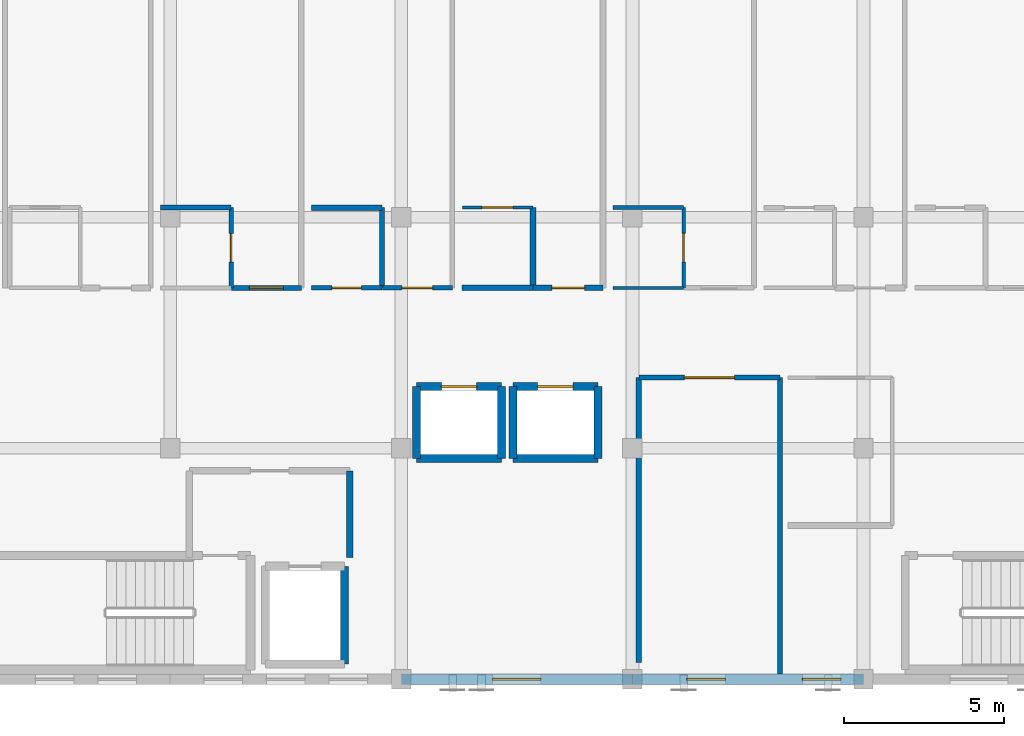
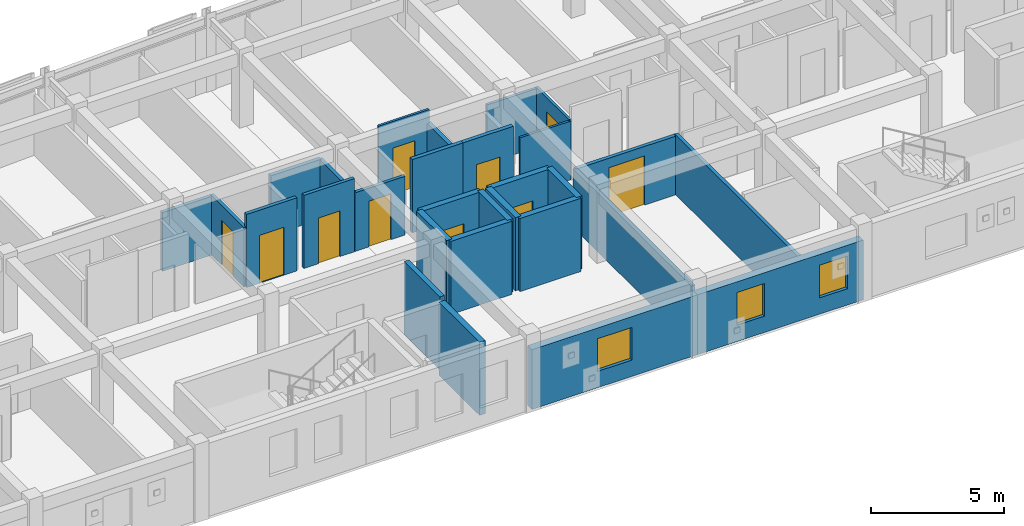
# One storey, part 36 of 45: 29 walls, 10 doors, 3 windows, 13 openings.
"""IFC4 building model written with IfcOpenShell, lengths in metres."""

import ifcopenshell
import ifcopenshell.guid

model = None  # the IFC model being written
_history = None  # IfcOwnerHistory: only IFC2X3 demands one
_inside = {}  # id of a spatial element -> (the spatial element, [elements in it])
_under = {}  # id of a project, library or spatial element -> (it, [spatial elements below it])
_declared = {}  # id of a project -> (the project, [libraries it declares])
_typed = {}  # id of a type object -> (the type object, [elements of that type])
_made_of = {}  # id of a material, layer set ... -> (it, [elements and type objects made of it])


def new_model(schema):
    """Start an empty IFC model of exactly this schema.

    Asked for "IFC4X3", IfcOpenShell would pick the latest addendum, in which some entities
    have other attributes; the version numbers below select the first issue.
    IFC2X3 requires an IfcOwnerHistory on every rooted entity: one is made here for all.
    """
    global model, _history
    if schema == "IFC4X3":
        model = ifcopenshell.file(schema_version=(4, 3, 0, 0))
    else:
        model = ifcopenshell.file(schema=schema)
    _inside.clear()
    _under.clear()
    _declared.clear()
    _typed.clear()
    _made_of.clear()
    _history = None
    if model.schema == "IFC2X3":
        org = make("IfcOrganization", Name="unknown")
        user = make(
            "IfcPersonAndOrganization",
            ThePerson=make("IfcPerson", FamilyName="unknown"),
            TheOrganization=org,
        )
        app = make(
            "IfcApplication",
            ApplicationDeveloper=org,
            Version="unknown",
            ApplicationFullName="unknown",
            ApplicationIdentifier="unknown",
        )
        _history = make(
            "IfcOwnerHistory",
            OwningUser=user,
            OwningApplication=app,
            ChangeAction="ADDED",
            CreationDate=0,
        )
    return model


def make(cls, **values):
    """One entity of the class cls with the attributes given. An attribute that is None is left unset."""
    return model.create_entity(
        cls, **{name: value for name, value in values.items() if value is not None}
    )


def rooted(cls, **values):
    """An entity with a GlobalId (a new one), such as an element, a storey or a relation."""
    return make(cls, GlobalId=ifcopenshell.guid.new(), OwnerHistory=_history, **values)


def si_unit(unit_type, name, prefix=None):
    """IfcSIUnit, for example si_unit("LENGTHUNIT", "METRE", prefix="MILLI")."""
    return make("IfcSIUnit", UnitType=unit_type, Prefix=prefix, Name=name)


def assignment(units):
    """IfcUnitAssignment: the units of a project."""
    return None if units is None else make("IfcUnitAssignment", Units=units)


def point(xyz):
    """IfcCartesianPoint."""
    return None if xyz is None else make("IfcCartesianPoint", Coordinates=xyz)


def direction(xyz):
    """IfcDirection."""
    return None if xyz is None else make("IfcDirection", DirectionRatios=xyz)


def frame(location, z_axis=None, x_axis=None):
    """IfcAxis2Placement3D, a coordinate frame: its origin and axes. An axis left out is left unset."""
    return make(
        "IfcAxis2Placement3D",
        Location=point(location),
        Axis=direction(z_axis),
        RefDirection=direction(x_axis),
    )


def frame_2d(location, x_axis=None):
    """IfcAxis2Placement2D, a coordinate frame in the plane: its origin and x axis."""
    return make(
        "IfcAxis2Placement2D", Location=point(location), RefDirection=direction(x_axis)
    )


def origin():
    """The frame at (0, 0, 0) with its axes left unset."""
    return frame((0.0, 0.0, 0.0))


def place(relative_to, where):
    """IfcLocalPlacement: puts the frame where relative to a parent placement (None: the world)."""
    return make(
        "IfcLocalPlacement", PlacementRelTo=relative_to, RelativePlacement=where
    )


def context(
    kind, dimensions, precision=None, world=None, true_north=None, identifier=None
):
    """IfcGeometricRepresentationContext, for example the 3D "Model" context."""
    return make(
        "IfcGeometricRepresentationContext",
        ContextIdentifier=identifier,
        ContextType=kind,
        CoordinateSpaceDimension=dimensions,
        Precision=precision,
        WorldCoordinateSystem=world,
        TrueNorth=true_north,
    )


def subcontext(parent, identifier, kind, view, scale=None):
    """IfcGeometricRepresentationSubContext, for example "Body" below "Model"."""
    return make(
        "IfcGeometricRepresentationSubContext",
        ContextIdentifier=identifier,
        ContextType=kind,
        ParentContext=parent,
        TargetScale=scale,
        TargetView=view,
    )


def project(units=None, contexts=None):
    """IfcProject with its units and contexts."""
    return rooted(
        "IfcProject",
        Name="project",
        RepresentationContexts=contexts,
        UnitsInContext=assignment(units),
    )


def spatial(cls, under=None, at=None, **own):
    """A site, building, storey or space (cls), placed at a placement, below another one or the project."""
    s = rooted(cls, ObjectPlacement=at, **own)
    if under is not None:
        _under.setdefault(under.id(), (under, []))[1].append(s)
    return s


def profile(cls, at=None, kind="AREA", **sizes):
    """A parametric profile (cls). Its sizes go by their IFC names, for example OverallWidth=200.0."""
    return make(cls, ProfileType=kind, Position=at, **sizes)


def rectangle(**sizes):
    """IfcRectangleProfileDef."""
    return profile("IfcRectangleProfileDef", **sizes)


def extrude(swept, where, along, depth):
    """IfcExtrudedAreaSolid: the profile swept, set in the frame where, extruded along a direction by depth."""
    return make(
        "IfcExtrudedAreaSolid",
        SweptArea=swept,
        Position=where,
        ExtrudedDirection=direction(along),
        Depth=depth,
    )


def shape(context_of_items, identifier, shape_type, items):
    """IfcShapeRepresentation: the items that make up one representation, for example the "Body"."""
    return make(
        "IfcShapeRepresentation",
        ContextOfItems=context_of_items,
        RepresentationIdentifier=identifier,
        RepresentationType=shape_type,
        Items=items,
    )


def material(Name=None, Category=None):
    """IfcMaterial."""
    return make("IfcMaterial", Name=Name, Category=Category)


def layer(
    of_material, thickness, ventilated=None, Name=None, Category=None, Priority=None
):
    """IfcMaterialLayer: one layer of a wall or slab, of a material (None: an air gap)."""
    return make(
        "IfcMaterialLayer",
        Material=of_material,
        LayerThickness=thickness,
        IsVentilated=ventilated,
        Name=Name,
        Category=Category,
        Priority=Priority,
    )


def layer_set(layers, Name=None):
    """IfcMaterialLayerSet."""
    return make("IfcMaterialLayerSet", MaterialLayers=layers, LayerSetName=Name)


def made_of(thing, what):
    """Note that an element or type object is made of a material, layer set ...; save() writes the relation."""
    if what is not None:
        _made_of.setdefault(what.id(), (what, []))[1].append(thing)
    return thing


def type_object(cls, material=None, **own):
    """A type object (cls), such as IfcWallType, which elements share."""
    return made_of(rooted(cls, **own), material)


def element(
    cls,
    number,
    at=None,
    inside=None,
    cuts=None,
    type_object=None,
    material=None,
    context=None,
    identifier="Body",
    shape_type=None,
    held_by="IfcProductDefinitionShape",
    body=None,
    shapes=None,
    **own,
):
    """One element of the class cls, such as IfcWall. Its Tag is "e" and its number.

    at: its placement. inside: the storey or other place that contains it. cuts: it is an
    opening in that element (IfcRelVoidsElement). A single representation is given by context,
    identifier, shape_type and body (its items); several are given by shapes. held_by: the class
    of the entity that holds the representations. save() writes the other relations.
    """
    e = rooted(cls, Tag="e%d" % number, ObjectPlacement=at, **own)
    if body is not None:
        shapes = [shape(context, identifier, shape_type, body)]
    if shapes is not None:
        e.Representation = make(held_by, Representations=shapes)
    if inside is not None:
        _inside.setdefault(inside.id(), (inside, []))[1].append(e)
    if cuts is not None:
        rooted(
            "IfcRelVoidsElement", RelatingBuildingElement=cuts, RelatedOpeningElement=e
        )
    if type_object is not None:
        _typed.setdefault(type_object.id(), (type_object, []))[1].append(e)
    return made_of(e, material)


def fill(opening, filler):
    """IfcRelFillsElement: the door or window that sits in an opening."""
    return rooted(
        "IfcRelFillsElement",
        RelatingOpeningElement=opening,
        RelatedBuildingElement=filler,
    )


def aggregate(whole, parts):
    """IfcRelAggregates: a whole, such as a stair, and the parts it consists of."""
    return rooted("IfcRelAggregates", RelatingObject=whole, RelatedObjects=parts)


def save(model, path):
    """Write the relations noted so far, then the file.

    IfcRelAggregates (storeys below a building ...), IfcRelContainedInSpatialStructure (elements
    in a storey), IfcRelDefinesByType, IfcRelAssociatesMaterial and IfcRelDeclares: one each for
    every whole, place, type object, material and project.
    """
    for whole, parts in _under.values():
        aggregate(whole, parts)
    for where, things in _inside.values():
        rooted(
            "IfcRelContainedInSpatialStructure",
            RelatedElements=things,
            RelatingStructure=where,
        )
    for kind, things in _typed.values():
        rooted("IfcRelDefinesByType", RelatedObjects=things, RelatingType=kind)
    for what, things in _made_of.values():
        rooted("IfcRelAssociatesMaterial", RelatedObjects=things, RelatingMaterial=what)
    for by, libraries in _declared.values():
        rooted("IfcRelDeclares", RelatingContext=by, RelatedDefinitions=libraries)
    model.write(path)


model = new_model("IFC4")

# Units and contexts
model_context = context("Model", 3, precision=1e-05, world=origin(), true_north=direction((0.0, 1.0)))
body_context = subcontext(model_context, "Body", "Model", "MODEL_VIEW")
ifc_project = project(units=[si_unit("LENGTHUNIT", "METRE"), si_unit("AREAUNIT", "SQUARE_METRE"), si_unit("VOLUMEUNIT", "CUBIC_METRE"), si_unit("PLANEANGLEUNIT", "RADIAN"), si_unit("MASSUNIT", "GRAM", prefix="KILO")], contexts=[model_context])

# Site, building, storey
site_placement = place(None, origin())
site = spatial("IfcSite", under=ifc_project, at=site_placement, CompositionType="ELEMENT")
building_placement = place(site_placement, origin())
building = spatial("IfcBuilding", under=site, at=building_placement, Name="Carrowvane Square Congress Hotel", CompositionType="ELEMENT")
storey_placement = place(building_placement, frame((0.0, 0.0, 33.60009765625)))
storey = spatial("IfcBuildingStorey", under=building, at=storey_placement, Name="L08", CompositionType="ELEMENT", Elevation=33.60009765625)

# Wall, openings, windows
ifc_material_1 = material(Name="Glazed terracotta rainscreen", Category="masonry")
ifc_layer_1 = layer(ifc_material_1, 0.330078125)
ifc_layer_set_1 = layer_set([ifc_layer_1], Name="Glazed terracotta rainscreen")
wall_type_1 = type_object("IfcWallType", Name="WL-EXT-TC330", PredefinedType="STANDARD", material=ifc_layer_set_1)
wall_1_placement = place(storey_placement, frame((98.0, 91.800048828125, 0.0), z_axis=(0.0, 0.0, 1.0), x_axis=(-1.0, 0.0, 0.0)))
wall_1 = element("IfcWall", 1, at=wall_1_placement, inside=storey, type_object=wall_type_1, Name="L08 exterior facade wall 548", PredefinedType="STANDARD", context=body_context, shape_type="SweptSolid", body=[
    extrude(rectangle(XDim=7.199951171875, YDim=0.330078125, at=frame_2d((3.60009765625, 0.0))), origin(), (0.0, 0.0, 1.0), 2.744873046875),
])
opening_1_placement = place(wall_1_placement, frame((0.699951171875, 0.0, 0.75)))
opening_1 = element("IfcOpeningElement", 2, at=opening_1_placement, cuts=wall_1, Name="Opening W-01", PredefinedType="OPENING", context=body_context, shape_type="SweptSolid", body=[
    extrude(rectangle(XDim=1.199951171875, YDim=1.5, at=frame_2d((0.60009765625, 0.75))), frame((0.0, 0.175048828125, 0.0), z_axis=(0.0, -1.0, 0.0), x_axis=(1.0, 0.0, 0.0)), (0.0, 0.0, 1.0), 0.35009765625),
])
opening_2_placement = place(wall_1_placement, frame((4.300048828125, 0.0, 0.75)))
opening_2 = element("IfcOpeningElement", 3, at=opening_2_placement, cuts=wall_1, Name="Opening W-01", PredefinedType="OPENING", context=body_context, shape_type="SweptSolid", body=[
    extrude(rectangle(XDim=1.199951171875, YDim=1.5, at=frame_2d((0.60009765625, 0.75))), frame((0.0, 0.175048828125, 0.0), z_axis=(0.0, -1.0, 0.0), x_axis=(1.0, 0.0, 0.0)), (0.0, 0.0, 1.0), 0.35009765625),
])
ifc_material_2 = material(Name="Double-glazed low-E glass", Category="glass")
window_type_1 = type_object("IfcWindowType", Name="WIN-01", PartitioningType="SINGLE_PANEL", PredefinedType="WINDOW", material=ifc_material_2)
window_1_placement = place(opening_1_placement, origin())
window_1 = element("IfcWindow", 4, at=window_1_placement, inside=storey, type_object=window_type_1, Name="L08 facade window 392", OverallHeight=1.5, OverallWidth=1.199951171875, PartitioningType="SINGLE_PANEL", PredefinedType="WINDOW", context=body_context, shape_type="SweptSolid", body=[
    extrude(rectangle(XDim=1.199951171875, YDim=1.5, at=frame_2d((0.60009765625, 0.75))), frame((0.0, 0.030029296875, 0.0), z_axis=(0.0, -1.0, 0.0), x_axis=(1.0, 0.0, 0.0)), (0.0, 0.0, 1.0), 0.06005859375),
])
fill(opening_1, window_1)
window_2_placement = place(opening_2_placement, origin())
window_2 = element("IfcWindow", 5, at=window_2_placement, inside=storey, type_object=window_type_1, Name="L08 split-bay facade window WIN-L08-0392-1", OverallHeight=1.5, OverallWidth=1.199951171875, PartitioningType="SINGLE_PANEL", PredefinedType="WINDOW", context=body_context, shape_type="SweptSolid", body=[
    extrude(rectangle(XDim=1.199951171875, YDim=1.5, at=frame_2d((0.60009765625, 0.75))), frame((0.0, 0.030029296875, 0.0), z_axis=(0.0, -1.0, 0.0), x_axis=(1.0, 0.0, 0.0)), (0.0, 0.0, 1.0), 0.06005859375),
])
fill(opening_2, window_2)

# Wall, opening, window
wall_2_placement = place(storey_placement, frame((90.800048828125, 91.800048828125, 0.0), z_axis=(0.0, 0.0, 1.0), x_axis=(-1.0, 0.0, 0.0)))
wall_2 = element("IfcWall", 6, at=wall_2_placement, inside=storey, type_object=wall_type_1, Name="L08 exterior facade wall 549", PredefinedType="STANDARD", context=body_context, shape_type="SweptSolid", body=[
    extrude(rectangle(XDim=7.199951171875, YDim=0.330078125, at=frame_2d((3.60009765625, 0.0))), origin(), (0.0, 0.0, 1.0), 2.744873046875),
])
opening_3_placement = place(wall_2_placement, frame((2.85009765625, 0.0, 0.75)))
opening_3 = element("IfcOpeningElement", 7, at=opening_3_placement, cuts=wall_2, Name="Opening W-15", PredefinedType="OPENING", context=body_context, shape_type="SweptSolid", body=[
    extrude(rectangle(XDim=1.5, YDim=1.5, at=frame_2d((0.75, 0.75))), frame((0.0, 0.175048828125, 0.0), z_axis=(0.0, -1.0, 0.0), x_axis=(1.0, 0.0, 0.0)), (0.0, 0.0, 1.0), 0.35009765625),
])
ifc_material_3 = material(Name="Double-glazed low-E glass", Category="glass")
window_type_2 = type_object("IfcWindowType", Name="WIN-15", PartitioningType="SINGLE_PANEL", PredefinedType="WINDOW", material=ifc_material_3)
window_3_placement = place(opening_3_placement, origin())
window_3 = element("IfcWindow", 8, at=window_3_placement, inside=storey, type_object=window_type_2, Name="L08 facade window 393", OverallHeight=1.5, OverallWidth=1.5, PartitioningType="SINGLE_PANEL", PredefinedType="WINDOW", context=body_context, shape_type="SweptSolid", body=[
    extrude(rectangle(XDim=1.5, YDim=1.5, at=frame_2d((0.75, 0.75))), frame((0.0, 0.030029296875, 0.0), z_axis=(0.0, -1.0, 0.0), x_axis=(1.0, 0.0, 0.0)), (0.0, 0.0, 1.0), 0.06005859375),
])
fill(opening_3, window_3)

# Wall, opening, door
ifc_material_4 = material(Name="Acoustic gypsum board", Category="gypsum")
ifc_layer_2 = layer(ifc_material_4, 0.155029296875)
ifc_layer_set_2 = layer_set([ifc_layer_2], Name="Acoustic gypsum board")
wall_type_2 = type_object("IfcWallType", Name="WL-FIR-155", PredefinedType="PARTITIONING", material=ifc_layer_set_2)
wall_3_placement = place(storey_placement, frame((91.0, 101.199951171875, 0.0), z_axis=(0.0, 0.0, 1.0), x_axis=(1.0, 0.0, 0.0)))
wall_3 = element("IfcWall", 9, at=wall_3_placement, inside=storey, type_object=wall_type_2, Name="L08 L08 Housekeeping Linen Pantry partition", PredefinedType="PARTITIONING", context=body_context, shape_type="SweptSolid", body=[
    extrude(rectangle(XDim=4.39990234375, YDim=0.155029296875, at=frame_2d((2.199951171875, 0.0))), origin(), (0.0, 0.0, 1.0), 2.69482421875),
])
opening_4_placement = place(wall_3_placement, frame((1.419921875, 0.0, 0.0)))
opening_4 = element("IfcOpeningElement", 10, at=opening_4_placement, cuts=wall_3, Name="Opening ID-26", PredefinedType="OPENING", context=body_context, shape_type="SweptSolid", body=[
    extrude(rectangle(XDim=1.56005859375, YDim=2.260009765625, at=frame_2d((0.780029296875, 1.1298828125))), frame((0.0, 0.08740234375, 0.0), z_axis=(0.0, -1.0, 0.0), x_axis=(1.0, 0.0, 0.0)), (0.0, 0.0, 1.0), 0.175048828125),
])
ifc_material_5 = material(Name="European oak timber", Category="wood")
door_type_1 = type_object("IfcDoorType", Name="DR-INT-1560x2260", OperationType="DOUBLE_DOOR_SINGLE_SWING", PredefinedType="DOOR", material=ifc_material_5)
door_1_placement = place(opening_4_placement, origin())
door_1 = element("IfcDoor", 11, at=door_1_placement, inside=storey, type_object=door_type_1, Name="L08 L08 Housekeeping Linen Pantry entrance door", OperationType="DOUBLE_DOOR_SINGLE_SWING", OverallHeight=2.260009765625, OverallWidth=1.56005859375, PredefinedType="DOOR", context=body_context, shape_type="SweptSolid", body=[
    extrude(rectangle(XDim=1.56005859375, YDim=2.260009765625, at=frame_2d((0.780029296875, 1.1298828125))), frame((0.0, 0.02490234375, 0.0), z_axis=(0.0, -1.0, 0.0), x_axis=(1.0, 0.0, 0.0)), (0.0, 0.0, 1.0), 0.050048828125),
])
fill(opening_4, door_1)

wall_4_placement = place(storey_placement, frame((80.489990234375, 104.0, 0.0), z_axis=(0.0, 0.0, 1.0), x_axis=(-1.0, 0.0, 0.0)))
wall_4 = element("IfcWall", 12, at=wall_4_placement, inside=storey, type_object=wall_type_2, Name="L08 Parkview Guest Bedroom 0812 partition", PredefinedType="PARTITIONING", context=body_context, shape_type="SweptSolid", body=[
    extrude(rectangle(XDim=2.179931640625, YDim=0.155029296875, at=frame_2d((1.08984375, 0.0))), origin(), (0.0, 0.0, 1.0), 3.35986328125),
])
opening_5_placement = place(wall_4_placement, frame((0.56005859375, 0.0, 0.0)))
opening_5 = element("IfcOpeningElement", 13, at=opening_5_placement, cuts=wall_4, Name="Opening FD-09", PredefinedType="OPENING", context=body_context, shape_type="SweptSolid", body=[
    extrude(rectangle(XDim=1.06005859375, YDim=2.199951171875, at=frame_2d((0.530029296875, 1.10009765625))), frame((0.0, 0.08740234375, 0.0), z_axis=(0.0, -1.0, 0.0), x_axis=(1.0, 0.0, 0.0)), (0.0, 0.0, 1.0), 0.175048828125),
])
ifc_material_6 = material(Name="European oak timber", Category="wood")
door_type_2 = type_object("IfcDoorType", Name="DR-FD30-1060x2200", OperationType="NOTDEFINED", PredefinedType="DOOR", material=ifc_material_6)
door_2_placement = place(opening_5_placement, origin())
door_2 = element("IfcDoor", 14, at=door_2_placement, inside=storey, type_object=door_type_2, Name="L08 Parkview Guest Bedroom 0812 entrance door", OperationType="SINGLE_SWING_RIGHT", OverallHeight=2.199951171875, OverallWidth=1.06005859375, PredefinedType="DOOR", context=body_context, shape_type="SweptSolid", body=[
    extrude(rectangle(XDim=1.06005859375, YDim=2.199951171875, at=frame_2d((0.530029296875, 1.10009765625))), frame((0.0, 0.02490234375, 0.0), z_axis=(0.0, -1.0, 0.0), x_axis=(1.0, 0.0, 0.0)), (0.0, 0.0, 1.0), 0.050048828125),
])
fill(opening_5, door_2)

# Walls
wall_5_placement = place(storey_placement, frame((83.0, 106.5, 0.0), z_axis=(0.0, 0.0, 1.0), x_axis=(0.0, -1.0, 0.0)))
element("IfcWall", 15, at=wall_5_placement, inside=storey, type_object=wall_type_2, Name="L08 En-suite Bathroom 0813 partition", PredefinedType="PARTITIONING", context=body_context, shape_type="SweptSolid", body=[
    extrude(rectangle(XDim=2.5, YDim=0.155029296875, at=frame_2d((1.25, 0.0))), origin(), (0.0, 0.0, 1.0), 2.744873046875),
])
ifc_material_7 = material(Name="Acoustic gypsum board", Category="gypsum")
ifc_layer_3 = layer(ifc_material_7, 0.169921875)
ifc_layer_set_3 = layer_set([ifc_layer_3], Name="Acoustic gypsum board")
wall_type_3 = type_object("IfcWallType", Name="WL-FIR-170", PredefinedType="PARTITIONING", material=ifc_layer_set_3)
wall_6_placement = place(storey_placement, frame((91.0, 92.320068359375, 0.0), z_axis=(0.0, 0.0, 1.0), x_axis=(0.0, 1.0, 0.0)))
element("IfcWall", 16, at=wall_6_placement, inside=storey, type_object=wall_type_3, Name="L08 L08 Housekeeping Linen Pantry partition", PredefinedType="PARTITIONING", context=body_context, shape_type="SweptSolid", body=[
    extrude(rectangle(XDim=8.8798828125, YDim=0.169921875, at=frame_2d((4.43994140625, 0.0))), origin(), (0.0, 0.0, 1.0), 2.69482421875),
])
wall_7_placement = place(storey_placement, frame((80.800048828125, 106.5, 0.0), z_axis=(0.0, 0.0, 1.0), x_axis=(1.0, 0.0, 0.0)))
element("IfcWall", 17, at=wall_7_placement, inside=storey, type_object=wall_type_3, Name="L08 En-suite Bathroom 0813 partition", PredefinedType="PARTITIONING", context=body_context, shape_type="SweptSolid", body=[
    extrude(rectangle(XDim=2.199951171875, YDim=0.169921875, at=frame_2d((1.10009765625, 0.0))), origin(), (0.0, 0.0, 1.0), 2.744873046875),
])
wall_8_placement = place(storey_placement, frame((87.699951171875, 104.0, 0.0), z_axis=(0.0, 0.0, 1.0), x_axis=(-1.0, 0.0, 0.0)))
element("IfcWall", 18, at=wall_8_placement, inside=storey, type_object=wall_type_3, Name="L08 En-suite Bathroom 0814 partition", PredefinedType="PARTITIONING", context=body_context, shape_type="SweptSolid", body=[
    extrude(rectangle(XDim=2.199951171875, YDim=0.169921875, at=frame_2d((1.10009765625, 0.0))), origin(), (0.0, 0.0, 1.0), 3.35986328125),
])

# Wall, opening, door
wall_9_placement = place(storey_placement, frame((89.889892578125, 104.0, 0.0), z_axis=(0.0, 0.0, 1.0), x_axis=(-1.0, 0.0, 0.0)))
wall_9 = element("IfcWall", 19, at=wall_9_placement, inside=storey, type_object=wall_type_3, Name="L08 Parkview Guest Bedroom 0814 partition", PredefinedType="PARTITIONING", context=body_context, shape_type="SweptSolid", body=[
    extrude(rectangle(XDim=2.179931640625, YDim=0.169921875, at=frame_2d((1.08984375, 0.0))), origin(), (0.0, 0.0, 1.0), 3.35986328125),
])
opening_6_placement = place(wall_9_placement, frame((0.580078125, 0.0, 0.0)))
opening_6 = element("IfcOpeningElement", 20, at=opening_6_placement, cuts=wall_9, Name="Opening FD-08", PredefinedType="OPENING", context=body_context, shape_type="SweptSolid", body=[
    extrude(rectangle(XDim=1.02001953125, YDim=2.14990234375, at=frame_2d((0.510009765625, 1.074951171875))), frame((0.0, 0.094970703125, 0.0), z_axis=(0.0, -1.0, 0.0), x_axis=(1.0, 0.0, 0.0)), (0.0, 0.0, 1.0), 0.18994140625),
])
ifc_material_8 = material(Name="European oak timber", Category="wood")
door_type_3 = type_object("IfcDoorType", Name="DR-FD30-1020x2150", OperationType="NOTDEFINED", PredefinedType="DOOR", material=ifc_material_8)
door_3_placement = place(opening_6_placement, origin())
door_3 = element("IfcDoor", 21, at=door_3_placement, inside=storey, type_object=door_type_3, Name="L08 Parkview Guest Bedroom 0814 entrance door", OperationType="SINGLE_SWING_RIGHT", OverallHeight=2.14990234375, OverallWidth=1.02001953125, PredefinedType="DOOR", context=body_context, shape_type="SweptSolid", body=[
    extrude(rectangle(XDim=1.02001953125, YDim=2.14990234375, at=frame_2d((0.510009765625, 1.074951171875))), frame((0.0, 0.02490234375, 0.0), z_axis=(0.0, -1.0, 0.0), x_axis=(1.0, 0.0, 0.0)), (0.0, 0.0, 1.0), 0.050048828125),
])
fill(opening_6, door_3)

# Walls
ifc_material_9 = material(Name="Acoustic gypsum board", Category="gypsum")
ifc_layer_4 = layer(ifc_material_9, 0.18505859375)
ifc_layer_set_4 = layer_set([ifc_layer_4], Name="Acoustic gypsum board")
wall_type_4 = type_object("IfcWallType", Name="WL-FIR-185", PredefinedType="PARTITIONING", material=ifc_layer_set_4)
wall_10_placement = place(storey_placement, frame((87.699951171875, 106.5, 0.0), z_axis=(0.0, 0.0, 1.0), x_axis=(0.0, -1.0, 0.0)))
element("IfcWall", 22, at=wall_10_placement, inside=storey, type_object=wall_type_4, Name="L08 En-suite Bathroom 0814 partition", PredefinedType="PARTITIONING", context=body_context, shape_type="SweptSolid", body=[
    extrude(rectangle(XDim=2.5, YDim=0.18505859375, at=frame_2d((1.25, 0.0))), origin(), (0.0, 0.0, 1.0), 2.744873046875),
])
ifc_material_10 = material(Name="Acoustic gypsum board", Category="gypsum")
ifc_layer_5 = layer(ifc_material_10, 0.205078125)
ifc_layer_set_5 = layer_set([ifc_layer_5], Name="Acoustic gypsum board")
wall_type_5 = type_object("IfcWallType", Name="WL-FIR-205", PredefinedType="PARTITIONING", material=ifc_layer_set_5)
wall_11_placement = place(storey_placement, frame((82.0, 95.60009765625, 0.0), z_axis=(0.0, 0.0, 1.0), x_axis=(0.0, 1.0, 0.0)))
element("IfcWall", 23, at=wall_11_placement, inside=storey, type_object=wall_type_5, Name="L08 Firefighting Lobby C2 wall east", PredefinedType="PARTITIONING", context=body_context, shape_type="SweptSolid", body=[
    extrude(rectangle(XDim=2.699951171875, YDim=0.205078125, at=frame_2d((1.35009765625, 0.0))), origin(), (0.0, 0.0, 1.0), 3.35986328125),
])

# Wall, opening, door
ifc_material_11 = material(Name="Acoustic gypsum board", Category="gypsum")
ifc_layer_6 = layer(ifc_material_11, 0.097900390625)
ifc_layer_set_6 = layer_set([ifc_layer_6], Name="Acoustic gypsum board")
wall_type_6 = type_object("IfcWallType", Name="WL-PRT-098", PredefinedType="PARTITIONING", material=ifc_layer_set_6)
wall_12_placement = place(storey_placement, frame((85.5, 106.5, 0.0), z_axis=(0.0, 0.0, 1.0), x_axis=(1.0, 0.0, 0.0)))
wall_12 = element("IfcWall", 24, at=wall_12_placement, inside=storey, type_object=wall_type_6, Name="L08 En-suite Bathroom 0814 partition", PredefinedType="PARTITIONING", context=body_context, shape_type="SweptSolid", body=[
    extrude(rectangle(XDim=2.199951171875, YDim=0.097900390625, at=frame_2d((1.10009765625, 0.0))), origin(), (0.0, 0.0, 1.0), 3.35986328125),
])
opening_7_placement = place(wall_12_placement, frame((0.6201171875, 0.0, 0.0)))
opening_7 = element("IfcOpeningElement", 25, at=opening_7_placement, cuts=wall_12, Name="Opening ID-05", PredefinedType="OPENING", context=body_context, shape_type="SweptSolid", body=[
    extrude(rectangle(XDim=0.9599609375, YDim=2.139892578125, at=frame_2d((0.47998046875, 1.06982421875))), frame((0.0, 0.058837890625, 0.0), z_axis=(0.0, -1.0, 0.0), x_axis=(1.0, 0.0, 0.0)), (0.0, 0.0, 1.0), 0.117919921875),
])
ifc_material_12 = material(Name="European oak timber", Category="wood")
door_type_4 = type_object("IfcDoorType", Name="DR-INT-0960x2140", OperationType="NOTDEFINED", PredefinedType="DOOR", material=ifc_material_12)
door_4_placement = place(opening_7_placement, origin())
door_4 = element("IfcDoor", 26, at=door_4_placement, inside=storey, type_object=door_type_4, Name="L08 En-suite Bathroom 0814 door", OperationType="SINGLE_SWING_LEFT", OverallHeight=2.139892578125, OverallWidth=0.9599609375, PredefinedType="DOOR", context=body_context, shape_type="SweptSolid", body=[
    extrude(rectangle(XDim=0.9599609375, YDim=2.139892578125, at=frame_2d((0.47998046875, 1.06982421875))), frame((0.0, 0.02490234375, 0.0), z_axis=(0.0, -1.0, 0.0), x_axis=(1.0, 0.0, 0.0)), (0.0, 0.0, 1.0), 0.050048828125),
])
fill(opening_7, door_4)

# Wall
wall_13_placement = place(storey_placement, frame((92.39990234375, 104.0, 0.0), z_axis=(0.0, 0.0, 1.0), x_axis=(-1.0, 0.0, 0.0)))
element("IfcWall", 27, at=wall_13_placement, inside=storey, type_object=wall_type_6, Name="L08 En-suite Bathroom 0815 partition", PredefinedType="PARTITIONING", context=body_context, shape_type="SweptSolid", body=[
    extrude(rectangle(XDim=2.199951171875, YDim=0.097900390625, at=frame_2d((1.10009765625, 0.0))), origin(), (0.0, 0.0, 1.0), 2.69482421875),
])

# Wall, opening, door
ifc_material_13 = material(Name="Acoustic gypsum board", Category="gypsum")
ifc_layer_7 = layer(ifc_material_13, 0.10791015625)
ifc_layer_set_7 = layer_set([ifc_layer_7], Name="Acoustic gypsum board")
wall_type_7 = type_object("IfcWallType", Name="WL-PRT-108", PredefinedType="PARTITIONING", material=ifc_layer_set_7)
wall_14_placement = place(storey_placement, frame((92.39990234375, 106.5, 0.0), z_axis=(0.0, 0.0, 1.0), x_axis=(0.0, -1.0, 0.0)))
wall_14 = element("IfcWall", 28, at=wall_14_placement, inside=storey, type_object=wall_type_7, Name="L08 En-suite Bathroom 0815 partition", PredefinedType="PARTITIONING", context=body_context, shape_type="SweptSolid", body=[
    extrude(rectangle(XDim=2.5, YDim=0.10791015625, at=frame_2d((1.25, 0.0))), origin(), (0.0, 0.0, 1.0), 2.744873046875),
])
opening_8_placement = place(wall_14_placement, frame((0.804931640625, 0.0, 0.0)))
opening_8 = element("IfcOpeningElement", 29, at=opening_8_placement, cuts=wall_14, Name="Opening ID-16", PredefinedType="OPENING", context=body_context, shape_type="SweptSolid", body=[
    extrude(rectangle(XDim=0.889892578125, YDim=2.090087890625, at=frame_2d((0.44482421875, 1.044921875))), frame((0.0, 0.06396484375, 0.0), z_axis=(0.0, -1.0, 0.0), x_axis=(1.0, 0.0, 0.0)), (0.0, 0.0, 1.0), 0.1279296875),
])
ifc_material_14 = material(Name="European oak timber", Category="wood")
door_type_5 = type_object("IfcDoorType", Name="DR-INT-0890x2090", OperationType="NOTDEFINED", PredefinedType="DOOR", material=ifc_material_14)
door_5_placement = place(opening_8_placement, origin())
door_5 = element("IfcDoor", 30, at=door_5_placement, inside=storey, type_object=door_type_5, Name="L08 En-suite Bathroom 0815 door", OperationType="SINGLE_SWING_LEFT", OverallHeight=2.090087890625, OverallWidth=0.889892578125, PredefinedType="DOOR", context=body_context, shape_type="SweptSolid", body=[
    extrude(rectangle(XDim=0.889892578125, YDim=2.090087890625, at=frame_2d((0.44482421875, 1.044921875))), frame((0.0, 0.02490234375, 0.0), z_axis=(0.0, -1.0, 0.0), x_axis=(1.0, 0.0, 0.0)), (0.0, 0.0, 1.0), 0.050048828125),
])
fill(opening_8, door_5)

# Wall
ifc_material_15 = material(Name="Acoustic gypsum board", Category="gypsum")
ifc_layer_8 = layer(ifc_material_15, 0.117919921875)
ifc_layer_set_8 = layer_set([ifc_layer_8], Name="Acoustic gypsum board")
wall_type_8 = type_object("IfcWallType", Name="WL-PRT-118", PredefinedType="PARTITIONING", material=ifc_layer_set_8)
wall_15_placement = place(storey_placement, frame((90.199951171875, 106.5, 0.0), z_axis=(0.0, 0.0, 1.0), x_axis=(1.0, 0.0, 0.0)))
element("IfcWall", 31, at=wall_15_placement, inside=storey, type_object=wall_type_8, Name="L08 En-suite Bathroom 0815 partition", PredefinedType="PARTITIONING", context=body_context, shape_type="SweptSolid", body=[
    extrude(rectangle(XDim=2.199951171875, YDim=0.117919921875, at=frame_2d((1.10009765625, 0.0))), origin(), (0.0, 0.0, 1.0), 2.69482421875),
])

# Wall, opening, door
ifc_material_16 = material(Name="Acoustic gypsum board", Category="gypsum")
ifc_layer_9 = layer(ifc_material_16, 0.137939453125)
ifc_layer_set_9 = layer_set([ifc_layer_9], Name="Acoustic gypsum board")
wall_type_9 = type_object("IfcWallType", Name="WL-PRT-138", PredefinedType="PARTITIONING", material=ifc_layer_set_9)
wall_16_placement = place(storey_placement, frame((78.300048828125, 106.5, 0.0), z_axis=(0.0, 0.0, 1.0), x_axis=(0.0, -1.0, 0.0)))
wall_16 = element("IfcWall", 32, at=wall_16_placement, inside=storey, type_object=wall_type_9, Name="L08 En-suite Bathroom 0812 partition", PredefinedType="PARTITIONING", context=body_context, shape_type="SweptSolid", body=[
    extrude(rectangle(XDim=2.5, YDim=0.137939453125, at=frame_2d((1.25, 0.0))), origin(), (0.0, 0.0, 1.0), 2.744873046875),
])
opening_9_placement = place(wall_16_placement, frame((0.81005859375, 0.0, 0.0)))
opening_9 = element("IfcOpeningElement", 33, at=opening_9_placement, cuts=wall_16, Name="Opening ID-01", PredefinedType="OPENING", context=body_context, shape_type="SweptSolid", body=[
    extrude(rectangle(XDim=0.8798828125, YDim=2.06005859375, at=frame_2d((0.43994140625, 1.030029296875))), frame((0.0, 0.078857421875, 0.0), z_axis=(0.0, -1.0, 0.0), x_axis=(1.0, 0.0, 0.0)), (0.0, 0.0, 1.0), 0.157958984375),
])
ifc_material_17 = material(Name="European oak timber", Category="wood")
door_type_6 = type_object("IfcDoorType", Name="DR-INT-0880x2060", OperationType="NOTDEFINED", PredefinedType="DOOR", material=ifc_material_17)
door_6_placement = place(opening_9_placement, origin())
door_6 = element("IfcDoor", 34, at=door_6_placement, inside=storey, type_object=door_type_6, Name="L08 En-suite Bathroom 0812 door", OperationType="SINGLE_SWING_LEFT", OverallHeight=2.06005859375, OverallWidth=0.8798828125, PredefinedType="DOOR", context=body_context, shape_type="SweptSolid", body=[
    extrude(rectangle(XDim=0.8798828125, YDim=2.06005859375, at=frame_2d((0.43994140625, 1.030029296875))), frame((0.0, 0.02490234375, 0.0), z_axis=(0.0, -1.0, 0.0), x_axis=(1.0, 0.0, 0.0)), (0.0, 0.0, 1.0), 0.050048828125),
])
fill(opening_9, door_6)

wall_17_placement = place(storey_placement, frame((85.18994140625, 104.0, 0.0), z_axis=(0.0, 0.0, 1.0), x_axis=(-1.0, 0.0, 0.0)))
wall_17 = element("IfcWall", 35, at=wall_17_placement, inside=storey, type_object=wall_type_9, Name="L08 Parkview Guest Bedroom 0813 partition", PredefinedType="PARTITIONING", context=body_context, shape_type="SweptSolid", body=[
    extrude(rectangle(XDim=2.179931640625, YDim=0.137939453125, at=frame_2d((1.08984375, 0.0))), origin(), (0.0, 0.0, 1.0), 2.69482421875),
])
opening_10_placement = place(wall_17_placement, frame((0.614990234375, 0.0, 0.0)))
opening_10 = element("IfcOpeningElement", 36, at=opening_10_placement, cuts=wall_17, Name="Opening FD-06", PredefinedType="OPENING", context=body_context, shape_type="SweptSolid", body=[
    extrude(rectangle(XDim=0.949951171875, YDim=2.10009765625, at=frame_2d((0.47509765625, 1.050048828125))), frame((0.0, 0.078857421875, 0.0), z_axis=(0.0, -1.0, 0.0), x_axis=(1.0, 0.0, 0.0)), (0.0, 0.0, 1.0), 0.157958984375),
])
ifc_material_18 = material(Name="European oak timber", Category="wood")
door_type_7 = type_object("IfcDoorType", Name="DR-FD30-0950x2100", OperationType="NOTDEFINED", PredefinedType="DOOR", material=ifc_material_18)
door_7_placement = place(opening_10_placement, origin())
door_7 = element("IfcDoor", 37, at=door_7_placement, inside=storey, type_object=door_type_7, Name="L08 Parkview Guest Bedroom 0813 entrance door", OperationType="SINGLE_SWING_RIGHT", OverallHeight=2.10009765625, OverallWidth=0.949951171875, PredefinedType="DOOR", context=body_context, shape_type="SweptSolid", body=[
    extrude(rectangle(XDim=0.949951171875, YDim=2.10009765625, at=frame_2d((0.47509765625, 1.050048828125))), frame((0.0, 0.02490234375, 0.0), z_axis=(0.0, -1.0, 0.0), x_axis=(1.0, 0.0, 0.0)), (0.0, 0.0, 1.0), 0.050048828125),
])
fill(opening_10, door_7)

# Walls
ifc_material_19 = material(Name="Acoustic gypsum board", Category="gypsum")
ifc_layer_10 = layer(ifc_material_19, 0.14794921875)
ifc_layer_set_10 = layer_set([ifc_layer_10], Name="Acoustic gypsum board")
wall_type_10 = type_object("IfcWallType", Name="WL-PRT-148", PredefinedType="PARTITIONING", material=ifc_layer_set_10)
wall_18_placement = place(storey_placement, frame((95.39990234375, 101.199951171875, 0.0), z_axis=(0.0, 0.0, 1.0), x_axis=(0.0, -1.0, 0.0)))
element("IfcWall", 38, at=wall_18_placement, inside=storey, type_object=wall_type_10, Name="L08 L08 Housekeeping Linen Pantry partition", PredefinedType="PARTITIONING", context=body_context, shape_type="SweptSolid", body=[
    extrude(rectangle(XDim=9.239990234375, YDim=0.14794921875, at=frame_2d((4.6201171875, 0.0))), origin(), (0.0, 0.0, 1.0), 2.744873046875),
])
wall_19_placement = place(storey_placement, frame((76.10009765625, 106.5, 0.0), z_axis=(0.0, 0.0, 1.0), x_axis=(1.0, 0.0, 0.0)))
element("IfcWall", 39, at=wall_19_placement, inside=storey, type_object=wall_type_10, Name="L08 En-suite Bathroom 0812 partition", PredefinedType="PARTITIONING", context=body_context, shape_type="SweptSolid", body=[
    extrude(rectangle(XDim=2.199951171875, YDim=0.14794921875, at=frame_2d((1.10009765625, 0.0))), origin(), (0.0, 0.0, 1.0), 2.69482421875),
])

# Wall, opening, door
wall_20_placement = place(storey_placement, frame((83.0, 104.0, 0.0), z_axis=(0.0, 0.0, 1.0), x_axis=(-1.0, 0.0, 0.0)))
wall_20 = element("IfcWall", 40, at=wall_20_placement, inside=storey, type_object=wall_type_10, Name="L08 En-suite Bathroom 0813 partition", PredefinedType="PARTITIONING", context=body_context, shape_type="SweptSolid", body=[
    extrude(rectangle(XDim=2.199951171875, YDim=0.14794921875, at=frame_2d((1.10009765625, 0.0))), origin(), (0.0, 0.0, 1.0), 3.35986328125),
])
opening_11_placement = place(wall_20_placement, frame((0.639892578125, 0.0, 0.0)))
opening_11 = element("IfcOpeningElement", 41, at=opening_11_placement, cuts=wall_20, Name="Opening ID-03", PredefinedType="OPENING", context=body_context, shape_type="SweptSolid", body=[
    extrude(rectangle(XDim=0.919921875, YDim=2.10009765625, at=frame_2d((0.4599609375, 1.050048828125))), frame((0.0, 0.083984375, 0.0), z_axis=(0.0, -1.0, 0.0), x_axis=(1.0, 0.0, 0.0)), (0.0, 0.0, 1.0), 0.16796875),
])
ifc_material_20 = material(Name="European oak timber", Category="wood")
door_type_8 = type_object("IfcDoorType", Name="DR-INT-0920x2100", OperationType="NOTDEFINED", PredefinedType="DOOR", material=ifc_material_20)
door_8_placement = place(opening_11_placement, origin())
door_8 = element("IfcDoor", 42, at=door_8_placement, inside=storey, type_object=door_type_8, Name="L08 En-suite Bathroom 0813 door", OperationType="SINGLE_SWING_LEFT", OverallHeight=2.10009765625, OverallWidth=0.919921875, PredefinedType="DOOR", context=body_context, shape_type="SweptSolid", body=[
    extrude(rectangle(XDim=0.919921875, YDim=2.10009765625, at=frame_2d((0.4599609375, 1.050048828125))), frame((0.0, 0.02490234375, 0.0), z_axis=(0.0, -1.0, 0.0), x_axis=(1.0, 0.0, 0.0)), (0.0, 0.0, 1.0), 0.050048828125),
])
fill(opening_11, door_8)

# Walls
ifc_material_21 = material(Name="Concrete C40/50", Category="concrete")
ifc_layer_11 = layer(ifc_material_21, 0.25)
ifc_layer_set_11 = layer_set([ifc_layer_11], Name="Concrete C40/50")
wall_type_11 = type_object("IfcWallType", Name="WL-SHR-250", PredefinedType="SHEAR", material=ifc_layer_set_11)
wall_21_placement = place(storey_placement, frame((81.824951171875, 92.27490234375, 0.0), z_axis=(0.0, 0.0, 1.0), x_axis=(0.0, 1.0, 0.0)))
element("IfcWall", 43, at=wall_21_placement, inside=storey, type_object=wall_type_11, Name="L08 FFL-2 shaft wall east", PredefinedType="SHEAR", context=body_context, shape_type="SweptSolid", body=[
    extrude(rectangle(XDim=3.050048828125, YDim=0.25, at=frame_2d((1.52490234375, 0.0))), origin(), (0.0, 0.0, 1.0), 3.35986328125),
])
wall_22_placement = place(storey_placement, frame((84.074951171875, 98.675048828125, 0.0), z_axis=(0.0, 0.0, 1.0), x_axis=(1.0, 0.0, 0.0)))
element("IfcWall", 44, at=wall_22_placement, inside=storey, type_object=wall_type_11, Name="L08 HL-1 shaft wall south", PredefinedType="SHEAR", context=body_context, shape_type="SweptSolid", body=[
    extrude(rectangle(XDim=2.650146484375, YDim=0.25, at=frame_2d((1.3251953125, 0.0))), origin(), (0.0, 0.0, 1.0), 3.35986328125),
])
wall_23_placement = place(storey_placement, frame((86.72509765625, 98.675048828125, 0.0), z_axis=(0.0, 0.0, 1.0), x_axis=(0.0, 1.0, 0.0)))
element("IfcWall", 45, at=wall_23_placement, inside=storey, type_object=wall_type_11, Name="L08 HL-1 shaft wall east", PredefinedType="SHEAR", context=body_context, shape_type="SweptSolid", body=[
    extrude(rectangle(XDim=2.25, YDim=0.25, at=frame_2d((1.125, 0.0))), origin(), (0.0, 0.0, 1.0), 3.35986328125),
])

# Wall, opening, door
wall_24_placement = place(storey_placement, frame((86.72509765625, 100.925048828125, 0.0), z_axis=(0.0, 0.0, 1.0), x_axis=(-1.0, 0.0, 0.0)))
wall_24 = element("IfcWall", 46, at=wall_24_placement, inside=storey, type_object=wall_type_11, Name="L08 HL-1 shaft wall north", PredefinedType="SHEAR", context=body_context, shape_type="SweptSolid", body=[
    extrude(rectangle(XDim=2.650146484375, YDim=0.25, at=frame_2d((1.3251953125, 0.0))), origin(), (0.0, 0.0, 1.0), 3.35986328125),
])
opening_12_placement = place(wall_24_placement, frame((0.77490234375, 0.0, 0.0)))
opening_12 = element("IfcOpeningElement", 47, at=opening_12_placement, cuts=wall_24, Name="Opening LD-HL-1", PredefinedType="OPENING", context=body_context, shape_type="SweptSolid", body=[
    extrude(rectangle(XDim=1.10009765625, YDim=2.14990234375, at=frame_2d((0.550048828125, 1.074951171875))), frame((0.0, 0.135009765625, 0.0), z_axis=(0.0, -1.0, 0.0), x_axis=(1.0, 0.0, 0.0)), (0.0, 0.0, 1.0), 0.27001953125),
])
ifc_material_22 = material(Name="Stainless steel 316", Category="steel")
door_type_9 = type_object("IfcDoorType", Name="DR-LD-1100x2150", OperationType="DOUBLE_DOOR_SLIDING", PredefinedType="DOOR", material=ifc_material_22)
door_9_placement = place(opening_12_placement, origin())
door_9 = element("IfcDoor", 48, at=door_9_placement, inside=storey, type_object=door_type_9, Name="L08 HL-1 sliding lift landing door", OperationType="DOUBLE_DOOR_SLIDING", OverallHeight=2.14990234375, OverallWidth=1.10009765625, PredefinedType="DOOR", context=body_context, shape_type="SweptSolid", body=[
    extrude(rectangle(XDim=1.10009765625, YDim=2.14990234375, at=frame_2d((0.550048828125, 1.074951171875))), frame((0.0, 0.02490234375, 0.0), z_axis=(0.0, -1.0, 0.0), x_axis=(1.0, 0.0, 0.0)), (0.0, 0.0, 1.0), 0.050048828125),
])
fill(opening_12, door_9)

# Walls
wall_25_placement = place(storey_placement, frame((84.074951171875, 100.925048828125, 0.0), z_axis=(0.0, 0.0, 1.0), x_axis=(0.0, -1.0, 0.0)))
element("IfcWall", 49, at=wall_25_placement, inside=storey, type_object=wall_type_11, Name="L08 HL-1 shaft wall west", PredefinedType="SHEAR", context=body_context, shape_type="SweptSolid", body=[
    extrude(rectangle(XDim=2.25, YDim=0.25, at=frame_2d((1.125, 0.0))), origin(), (0.0, 0.0, 1.0), 3.35986328125),
])
wall_26_placement = place(storey_placement, frame((87.074951171875, 98.675048828125, 0.0), z_axis=(0.0, 0.0, 1.0), x_axis=(1.0, 0.0, 0.0)))
element("IfcWall", 50, at=wall_26_placement, inside=storey, type_object=wall_type_11, Name="L08 HL-2 shaft wall south", PredefinedType="SHEAR", context=body_context, shape_type="SweptSolid", body=[
    extrude(rectangle(XDim=2.650146484375, YDim=0.25, at=frame_2d((1.3251953125, 0.0))), origin(), (0.0, 0.0, 1.0), 3.35986328125),
])
wall_27_placement = place(storey_placement, frame((89.72509765625, 98.675048828125, 0.0), z_axis=(0.0, 0.0, 1.0), x_axis=(0.0, 1.0, 0.0)))
element("IfcWall", 51, at=wall_27_placement, inside=storey, type_object=wall_type_11, Name="L08 HL-2 shaft wall east", PredefinedType="SHEAR", context=body_context, shape_type="SweptSolid", body=[
    extrude(rectangle(XDim=2.25, YDim=0.25, at=frame_2d((1.125, 0.0))), origin(), (0.0, 0.0, 1.0), 3.35986328125),
])

# Wall, opening, door
wall_28_placement = place(storey_placement, frame((89.72509765625, 100.925048828125, 0.0), z_axis=(0.0, 0.0, 1.0), x_axis=(-1.0, 0.0, 0.0)))
wall_28 = element("IfcWall", 52, at=wall_28_placement, inside=storey, type_object=wall_type_11, Name="L08 HL-2 shaft wall north", PredefinedType="SHEAR", context=body_context, shape_type="SweptSolid", body=[
    extrude(rectangle(XDim=2.650146484375, YDim=0.25, at=frame_2d((1.3251953125, 0.0))), origin(), (0.0, 0.0, 1.0), 3.35986328125),
])
opening_13_placement = place(wall_28_placement, frame((0.77490234375, 0.0, 0.0)))
opening_13 = element("IfcOpeningElement", 53, at=opening_13_placement, cuts=wall_28, Name="Opening LD-HL-2", PredefinedType="OPENING", context=body_context, shape_type="SweptSolid", body=[
    extrude(rectangle(XDim=1.10009765625, YDim=2.14990234375, at=frame_2d((0.550048828125, 1.074951171875))), frame((0.0, 0.135009765625, 0.0), z_axis=(0.0, -1.0, 0.0), x_axis=(1.0, 0.0, 0.0)), (0.0, 0.0, 1.0), 0.27001953125),
])
door_10_placement = place(opening_13_placement, origin())
door_10 = element("IfcDoor", 54, at=door_10_placement, inside=storey, type_object=door_type_9, Name="L08 HL-2 sliding lift landing door", OperationType="DOUBLE_DOOR_SLIDING", OverallHeight=2.14990234375, OverallWidth=1.10009765625, PredefinedType="DOOR", context=body_context, shape_type="SweptSolid", body=[
    extrude(rectangle(XDim=1.10009765625, YDim=2.14990234375, at=frame_2d((0.550048828125, 1.074951171875))), frame((0.0, 0.02490234375, 0.0), z_axis=(0.0, -1.0, 0.0), x_axis=(1.0, 0.0, 0.0)), (0.0, 0.0, 1.0), 0.050048828125),
])
fill(opening_13, door_10)

# Wall
wall_29_placement = place(storey_placement, frame((87.074951171875, 100.925048828125, 0.0), z_axis=(0.0, 0.0, 1.0), x_axis=(0.0, -1.0, 0.0)))
element("IfcWall", 55, at=wall_29_placement, inside=storey, type_object=wall_type_11, Name="L08 HL-2 shaft wall west", PredefinedType="SHEAR", context=body_context, shape_type="SweptSolid", body=[
    extrude(rectangle(XDim=2.25, YDim=0.25, at=frame_2d((1.125, 0.0))), origin(), (0.0, 0.0, 1.0), 3.35986328125),
])

save(model, "model.ifc")
